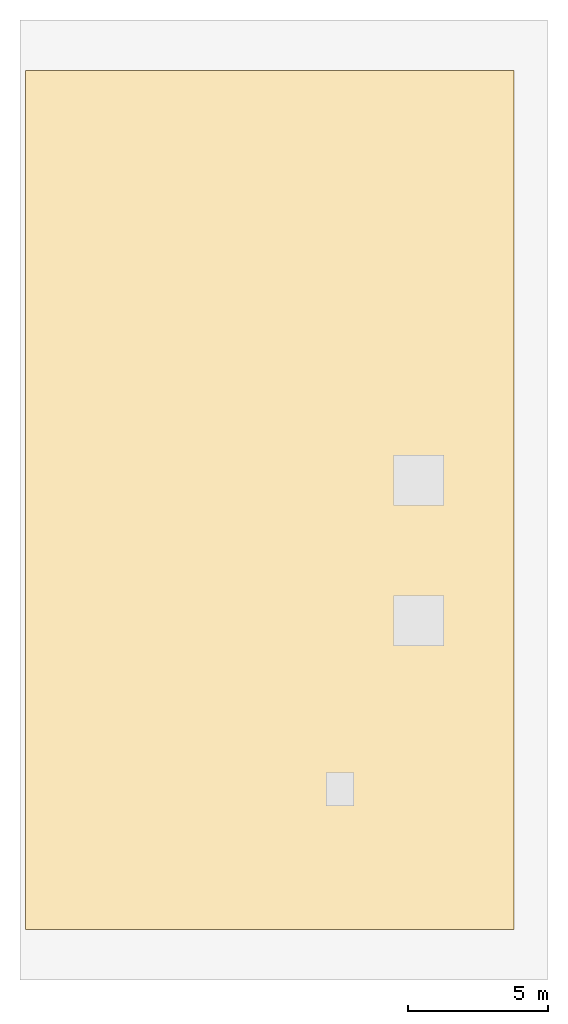
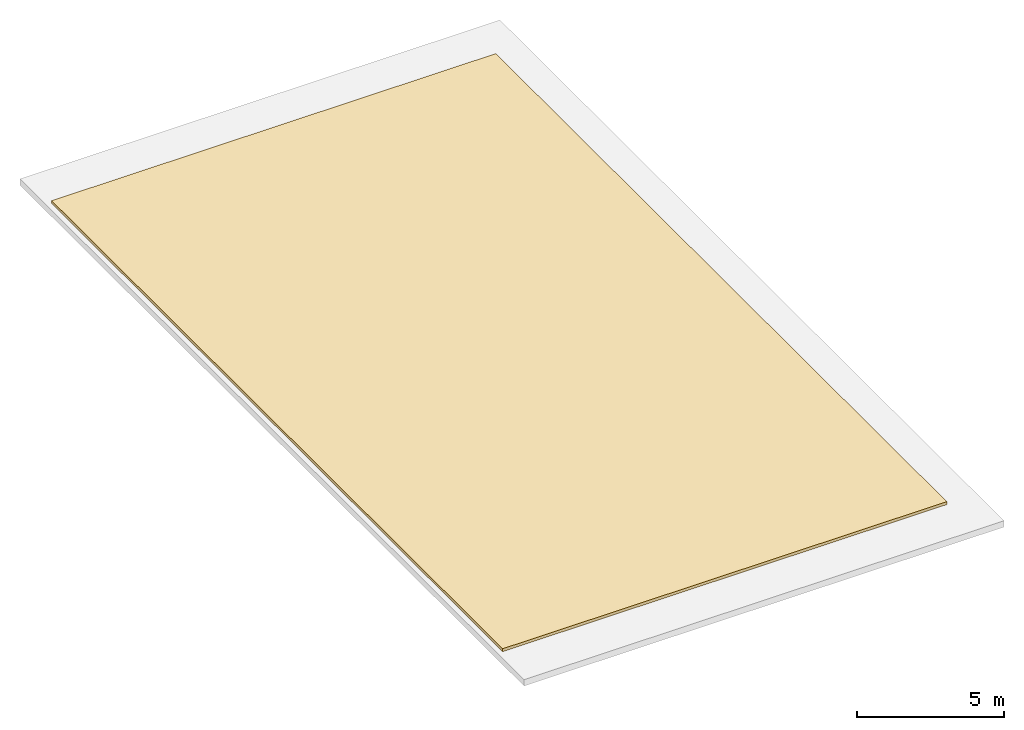
# One storey, part 2 of 2: 1 covering.
"""IFC4 building model written with IfcOpenShell, lengths in metres."""

from ifc_helpers import new_model, entity, si_unit, converted_unit, direction, frame, origin_with_axes, place, context, subcontext, project, spatial, polyline, outline, extrude, material, layer, layer_set, type_object, element, save


model = new_model("IFC4")

# Units and contexts
model_context = context("Model", 3, precision=1e-05, world=origin_with_axes(), true_north=direction((0.0, 1.0)))
body_context = subcontext(model_context, "Body", "Model", "MODEL_VIEW")
ifc_project = project(units=[si_unit("LENGTHUNIT", "METRE"), si_unit("AREAUNIT", "SQUARE_METRE"), si_unit("VOLUMEUNIT", "CUBIC_METRE"), converted_unit("PLANEANGLEUNIT", "DEGREE", entity("IfcPlaneAngleMeasure", 0.017453292519943295), si_unit("PLANEANGLEUNIT", "RADIAN"), dimensions=[0, 0, 0, 0, 0, 0, 0]), si_unit("MASSUNIT", "GRAM", prefix="KILO"), si_unit("THERMODYNAMICTEMPERATUREUNIT", "KELVIN")], contexts=[model_context])

# Site, building, storey
site_placement = place(None, origin_with_axes())
site = spatial("IfcSite", under=ifc_project, at=site_placement, CompositionType="ELEMENT")
building_placement = place(site_placement, origin_with_axes())
building = spatial("IfcBuilding", under=site, at=building_placement, Name="Varnlund Millrace Tower", CompositionType="ELEMENT")
storey_placement = place(building_placement, frame((0.0, 0.0, 336.0), z_axis=(0.0, 0.0, 1.0), x_axis=(1.0, 0.0, 0.0)))
storey = spatial("IfcBuildingStorey", under=building, at=storey_placement, Name="RF", CompositionType="ELEMENT", Elevation=336.0)

# Covering
ifc_material = material(Name="Insulated EPDM waterproof roof membrane")
ifc_layer = layer(ifc_material, 0.12, Name="Insulated EPDM waterproof roof membrane")
ifc_layer_set = layer_set([ifc_layer], Name="Insulated EPDM waterproof roof membrane")
covering_type = type_object("IfcCoveringType", Name="Type-Roof-Membrane-120", PredefinedType="ROOFING", material=ifc_layer_set)
covering_placement = place(storey_placement, origin_with_axes())
element("IfcCovering", 1, at=covering_placement, inside=storey, type_object=covering_type, Name="Type-Roof-Membrane-120", PredefinedType="ROOFING", context=body_context, shape_type="SweptSolid", body=[
    extrude(outline(polyline([(28.2, 9.0), (28.2, 39.6), (10.8, 39.6), (10.8, 9.0), (28.2, 9.0)])), origin_with_axes(), (0.0, 0.0, 1.0), 0.12),
])

save(model, "model.ifc")
